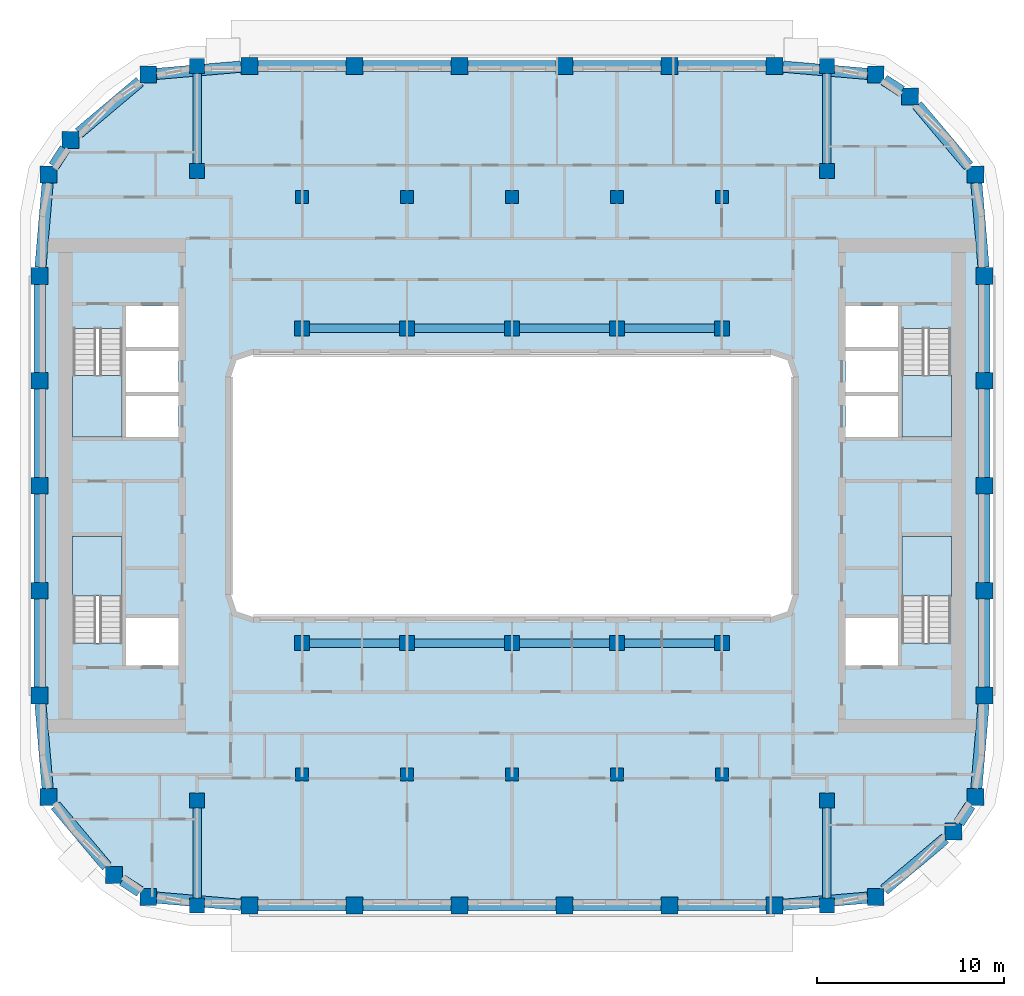
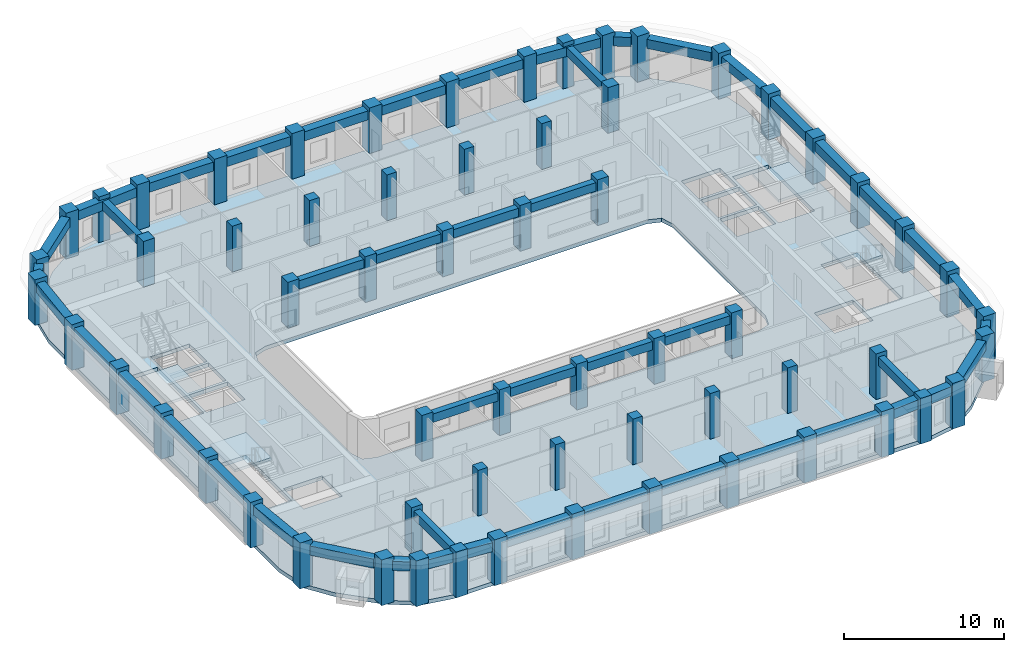
# One storey, part 1 of 21: 62 columns, 46 beams, 5 slabs, 4 elements without a shape of their own.
"""IFC4 building model written with IfcOpenShell, lengths in metres."""

from ifc_helpers import new_model, si_unit, direction, frame, origin, origin_2d, place, context, subcontext, project, spatial, polyline, rectangle, outline, extrude, material, layer, layer_set, material_profile, profile_set, type_object, element, aggregate, save


model = new_model("IFC4")

# Units and contexts
model_context = context("Model", 3, precision=1e-05, world=origin(), true_north=direction((0.0, 1.0)))
body_context = subcontext(model_context, "Body", "Model", "MODEL_VIEW")
ifc_project = project(units=[si_unit("LENGTHUNIT", "METRE"), si_unit("AREAUNIT", "SQUARE_METRE"), si_unit("VOLUMEUNIT", "CUBIC_METRE"), si_unit("PLANEANGLEUNIT", "RADIAN"), si_unit("MASSUNIT", "GRAM", prefix="KILO")], contexts=[model_context])

# Site, building, storey
site_placement = place(None, origin())
site = spatial("IfcSite", under=ifc_project, at=site_placement, CompositionType="ELEMENT")
building_placement = place(site_placement, origin())
building = spatial("IfcBuilding", under=site, at=building_placement, Name="Kiln Ring Residences", CompositionType="ELEMENT")
storey_placement = place(building_placement, frame((0.0, 0.0, 195.89990234375)))
storey = spatial("IfcBuildingStorey", under=building, at=storey_placement, Name="L50", CompositionType="ELEMENT", Elevation=195.89990234375)

# Columns
ifc_material_1 = material(Name="Concrete C70/85", Category="concrete")
ifc_material_profile_1 = material_profile(ifc_material_1, rectangle(XDim=0.699951171875, YDim=0.699951171875, at=origin_2d()), Name="RC700x700")
ifc_profile_set_1 = profile_set([ifc_material_profile_1], Name="Concrete C70/85")
column_type_1 = type_object("IfcColumnType", Name="Corridor column RC700x700 C70/85", PredefinedType="COLUMN", material=ifc_profile_set_1)
for number, where, z_axis, x_axis, name in (
    (1, (-11.199951171875, 15.39990234375, 0.0), (0.0, 0.0, 1.0), (1.0, 0.0, 0.0), "Corridor column L50 1"),
    (2, (-5.60009765625, 15.39990234375, 0.0), (0.0, 0.0, 1.0), (1.0, 0.0, 0.0), "Corridor column L50 2"),
    (3, (0.0, 15.39990234375, 0.0), (0.0, 0.0, 1.0), (1.0, 0.0, 0.0), "Corridor column L50 3"),
    (4, (5.60009765625, 15.39990234375, 0.0), (0.0, 0.0, 1.0), (1.0, 0.0, 0.0), "Corridor column L50 4"),
    (5, (11.199951171875, 15.39990234375, 0.0), (0.0, 0.0, 1.0), (1.0, 0.0, 0.0), "Corridor column L50 5"),
    (6, (-11.199951171875, -15.39990234375, 0.0), (0.0, 0.0, 1.0), (1.0, 0.0, 0.0), "Corridor column L50 6"),
    (7, (-5.60009765625, -15.39990234375, 0.0), (0.0, 0.0, 1.0), (1.0, 0.0, 0.0), "Corridor column L50 7"),
    (8, (0.0, -15.39990234375, 0.0), (0.0, 0.0, 1.0), (1.0, 0.0, 0.0), "Corridor column L50 8"),
    (9, (5.60009765625, -15.39990234375, 0.0), (0.0, 0.0, 1.0), (1.0, 0.0, 0.0), "Corridor column L50 9"),
    (10, (11.199951171875, -15.39990234375, 0.0), (0.0, 0.0, 1.0), (1.0, 0.0, 0.0), "Corridor column L50 10"),
):
    element("IfcColumn", number, at=place(storey_placement, frame(where, z_axis=z_axis, x_axis=x_axis)), inside=storey, type_object=column_type_1, Name=name, PredefinedType="COLUMN", context=body_context, shape_type="SweptSolid", body=[
        extrude(rectangle(XDim=0.699951171875, YDim=0.699951171875, at=origin_2d()), origin(), (0.0, 0.0, 1.0), 3.5),
    ])
ifc_material_2 = material(Name="Concrete C70/85", Category="concrete")
ifc_material_profile_2 = material_profile(ifc_material_2, rectangle(XDim=0.89990234375, YDim=0.89990234375, at=origin_2d()), Name="RC900x900")
ifc_profile_set_2 = profile_set([ifc_material_profile_2], Name="Concrete C70/85")
column_type_2 = type_object("IfcColumnType", Name="Perimeter column RC900x900 C70/85", PredefinedType="COLUMN", material=ifc_profile_set_2)
for number, where, z_axis, x_axis, name in (
    (11, (-19.40869140625, -21.93798828125, 0.0), (0.0, 0.0, 1.0), (1.0, 0.0, 0.0), "Perimeter column L50 1"),
    (12, (-14.0, -22.39990234375, 0.0), (0.0, 0.0, 1.0), (1.0, 0.0, 0.0), "Perimeter column L50 2"),
    (13, (-8.39990234375, -22.39990234375, 0.0), (0.0, 0.0, 1.0), (1.0, 0.0, 0.0), "Perimeter column L50 3"),
    (14, (-2.800048828125, -22.39990234375, 0.0), (0.0, 0.0, 1.0), (1.0, 0.0, 0.0), "Perimeter column L50 4"),
    (15, (2.800048828125, -22.39990234375, 0.0), (0.0, 0.0, 1.0), (1.0, 0.0, 0.0), "Perimeter column L50 5"),
    (16, (8.39990234375, -22.39990234375, 0.0), (0.0, 0.0, 1.0), (1.0, 0.0, 0.0), "Perimeter column L50 6"),
    (17, (14.0, -22.39990234375, 0.0), (0.0, 0.0, 1.0), (1.0, 0.0, 0.0), "Perimeter column L50 7"),
    (18, (19.40869140625, -21.93798828125, 0.0), (0.0, 0.0, 1.0), (1.0, 0.0, 0.0), "Perimeter column L50 8"),
    (19, (23.559814453125, -18.440185546875, 0.0), (0.0, 0.0, 1.0), (1.0, 0.0, 0.0), "Perimeter column L50 9"),
    (20, (24.738037109375, -16.608642578125, 0.0), (0.0, 0.0, 1.0), (1.0, 0.0, 0.0), "Perimeter column L50 10"),
    (21, (25.199951171875, -11.199951171875, 0.0), (0.0, 0.0, 1.0), (1.0, 0.0, 0.0), "Perimeter column L50 11"),
    (22, (25.199951171875, -5.60009765625, 0.0), (0.0, 0.0, 1.0), (1.0, 0.0, 0.0), "Perimeter column L50 12"),
    (23, (25.199951171875, 0.0, 0.0), (0.0, 0.0, 1.0), (1.0, 0.0, 0.0), "Perimeter column L50 13"),
    (24, (25.199951171875, 5.60009765625, 0.0), (0.0, 0.0, 1.0), (1.0, 0.0, 0.0), "Perimeter column L50 14"),
    (25, (25.199951171875, 11.199951171875, 0.0), (0.0, 0.0, 1.0), (1.0, 0.0, 0.0), "Perimeter column L50 15"),
    (26, (24.738037109375, 16.608642578125, 0.0), (0.0, 0.0, 1.0), (1.0, 0.0, 0.0), "Perimeter column L50 16"),
    (27, (21.240234375, 20.759765625, 0.0), (0.0, 0.0, 1.0), (1.0, 0.0, 0.0), "Perimeter column L50 17"),
    (28, (19.40869140625, 21.93798828125, 0.0), (0.0, 0.0, 1.0), (1.0, 0.0, 0.0), "Perimeter column L50 18"),
    (29, (14.0, 22.39990234375, 0.0), (0.0, 0.0, 1.0), (1.0, 0.0, 0.0), "Perimeter column L50 19"),
    (30, (8.39990234375, 22.39990234375, 0.0), (0.0, 0.0, 1.0), (1.0, 0.0, 0.0), "Perimeter column L50 20"),
    (31, (2.800048828125, 22.39990234375, 0.0), (0.0, 0.0, 1.0), (1.0, 0.0, 0.0), "Perimeter column L50 21"),
    (32, (-2.800048828125, 22.39990234375, 0.0), (0.0, 0.0, 1.0), (1.0, 0.0, 0.0), "Perimeter column L50 22"),
    (33, (-8.39990234375, 22.39990234375, 0.0), (0.0, 0.0, 1.0), (1.0, 0.0, 0.0), "Perimeter column L50 23"),
    (34, (-14.0, 22.39990234375, 0.0), (0.0, 0.0, 1.0), (1.0, 0.0, 0.0), "Perimeter column L50 24"),
    (35, (-19.40869140625, 21.93798828125, 0.0), (0.0, 0.0, 1.0), (1.0, 0.0, 0.0), "Perimeter column L50 25"),
    (36, (-23.559814453125, 18.440185546875, 0.0), (0.0, 0.0, 1.0), (1.0, 0.0, 0.0), "Perimeter column L50 26"),
    (37, (-24.738037109375, 16.608642578125, 0.0), (0.0, 0.0, 1.0), (1.0, 0.0, 0.0), "Perimeter column L50 27"),
    (38, (-25.199951171875, 11.199951171875, 0.0), (0.0, 0.0, 1.0), (1.0, 0.0, 0.0), "Perimeter column L50 28"),
    (39, (-25.199951171875, 5.60009765625, 0.0), (0.0, 0.0, 1.0), (1.0, 0.0, 0.0), "Perimeter column L50 29"),
    (40, (-25.199951171875, 0.0, 0.0), (0.0, 0.0, 1.0), (1.0, 0.0, 0.0), "Perimeter column L50 30"),
    (41, (-25.199951171875, -5.60009765625, 0.0), (0.0, 0.0, 1.0), (1.0, 0.0, 0.0), "Perimeter column L50 31"),
    (42, (-25.199951171875, -11.199951171875, 0.0), (0.0, 0.0, 1.0), (1.0, 0.0, 0.0), "Perimeter column L50 32"),
    (43, (-24.738037109375, -16.608642578125, 0.0), (0.0, 0.0, 1.0), (1.0, 0.0, 0.0), "Perimeter column L50 33"),
    (44, (-21.240234375, -20.759765625, 0.0), (0.0, 0.0, 1.0), (1.0, 0.0, 0.0), "Perimeter column L50 34"),
):
    element("IfcColumn", number, at=place(storey_placement, frame(where, z_axis=z_axis, x_axis=x_axis)), inside=storey, type_object=column_type_2, Name=name, PredefinedType="COLUMN", context=body_context, shape_type="SweptSolid", body=[
        extrude(rectangle(XDim=0.89990234375, YDim=0.89990234375, at=origin_2d()), origin(), (0.0, 0.0, 1.0), 3.5),
    ])
ifc_material_3 = material(Name="Concrete C70/85", Category="concrete")
ifc_material_profile_3 = material_profile(ifc_material_3, rectangle(XDim=0.800048828125, YDim=0.800048828125, at=origin_2d()), Name="RC800x800")
ifc_profile_set_3 = profile_set([ifc_material_profile_3], Name="Concrete C70/85")
column_type_3 = type_object("IfcColumnType", Name="Ring column RC800x800 C70/85", PredefinedType="COLUMN", material=ifc_profile_set_3)
for number, where, z_axis, x_axis, name in (
    (45, (-16.800048828125, -22.39990234375, 0.0), (0.0, 0.0, 1.0), (1.0, 0.0, 0.0), "Ring column L50 1"),
    (46, (-16.800048828125, -16.800048828125, 0.0), (0.0, 0.0, 1.0), (1.0, 0.0, 0.0), "Ring column L50 2"),
    (47, (-16.800048828125, 16.800048828125, 0.0), (0.0, 0.0, 1.0), (1.0, 0.0, 0.0), "Ring column L50 3"),
    (48, (-16.800048828125, 22.39990234375, 0.0), (0.0, 0.0, 1.0), (1.0, 0.0, 0.0), "Ring column L50 4"),
    (49, (-11.199951171875, -8.39990234375, 0.0), (0.0, 0.0, 1.0), (1.0, 0.0, 0.0), "Ring column L50 5"),
    (50, (-11.199951171875, 8.39990234375, 0.0), (0.0, 0.0, 1.0), (1.0, 0.0, 0.0), "Ring column L50 6"),
    (51, (-5.60009765625, -8.39990234375, 0.0), (0.0, 0.0, 1.0), (1.0, 0.0, 0.0), "Ring column L50 7"),
    (52, (-5.60009765625, 8.39990234375, 0.0), (0.0, 0.0, 1.0), (1.0, 0.0, 0.0), "Ring column L50 8"),
    (53, (0.0, -8.39990234375, 0.0), (0.0, 0.0, 1.0), (1.0, 0.0, 0.0), "Ring column L50 9"),
    (54, (0.0, 8.39990234375, 0.0), (0.0, 0.0, 1.0), (1.0, 0.0, 0.0), "Ring column L50 10"),
    (55, (5.60009765625, -8.39990234375, 0.0), (0.0, 0.0, 1.0), (1.0, 0.0, 0.0), "Ring column L50 11"),
    (56, (5.60009765625, 8.39990234375, 0.0), (0.0, 0.0, 1.0), (1.0, 0.0, 0.0), "Ring column L50 12"),
    (57, (11.199951171875, -8.39990234375, 0.0), (0.0, 0.0, 1.0), (1.0, 0.0, 0.0), "Ring column L50 13"),
    (58, (11.199951171875, 8.39990234375, 0.0), (0.0, 0.0, 1.0), (1.0, 0.0, 0.0), "Ring column L50 14"),
    (59, (16.800048828125, -22.39990234375, 0.0), (0.0, 0.0, 1.0), (1.0, 0.0, 0.0), "Ring column L50 15"),
    (60, (16.800048828125, -16.800048828125, 0.0), (0.0, 0.0, 1.0), (1.0, 0.0, 0.0), "Ring column L50 16"),
    (61, (16.800048828125, 16.800048828125, 0.0), (0.0, 0.0, 1.0), (1.0, 0.0, 0.0), "Ring column L50 17"),
    (62, (16.800048828125, 22.39990234375, 0.0), (0.0, 0.0, 1.0), (1.0, 0.0, 0.0), "Ring column L50 18"),
):
    element("IfcColumn", number, at=place(storey_placement, frame(where, z_axis=z_axis, x_axis=x_axis)), inside=storey, type_object=column_type_3, Name=name, PredefinedType="COLUMN", context=body_context, shape_type="SweptSolid", body=[
        extrude(rectangle(XDim=0.800048828125, YDim=0.800048828125, at=origin_2d()), origin(), (0.0, 0.0, 1.0), 3.5),
    ])

# Beams
ifc_material_4 = material(Name="Concrete C50/60", Category="concrete")
ifc_material_profile_4 = material_profile(ifc_material_4, rectangle(XDim=0.449951171875, YDim=0.64990234375, at=origin_2d()), Name="RC450x650")
ifc_profile_set_4 = profile_set([ifc_material_profile_4], Name="Concrete C50/60")
beam_type_1 = type_object("IfcBeamType", Name="Ring beam RC450x650 C50/60", PredefinedType="BEAM", material=ifc_profile_set_4)
for number, where, z_axis, x_axis, name in (
    (63, (-10.800048828125, -8.39990234375, 2.875), (1.0, 0.0, 0.0), (0.0, 1.0, 0.0), "Ring beam L50 1"),
    (64, (-5.199951171875, -8.39990234375, 2.875), (1.0, 0.0, 0.0), (0.0, 1.0, 0.0), "Ring beam L50 2"),
    (65, (0.39990234375, -8.39990234375, 2.875), (1.0, 0.0, 0.0), (0.0, 1.0, 0.0), "Ring beam L50 3"),
    (66, (6.0, -8.39990234375, 2.875), (1.0, 0.0, 0.0), (0.0, 1.0, 0.0), "Ring beam L50 4"),
    (67, (-10.800048828125, 8.39990234375, 2.875), (1.0, 0.0, 0.0), (0.0, 1.0, 0.0), "Ring beam L50 5"),
    (68, (-5.199951171875, 8.39990234375, 2.875), (1.0, 0.0, 0.0), (0.0, 1.0, 0.0), "Ring beam L50 6"),
    (69, (0.39990234375, 8.39990234375, 2.875), (1.0, 0.0, 0.0), (0.0, 1.0, 0.0), "Ring beam L50 7"),
    (70, (6.0, 8.39990234375, 2.875), (1.0, 0.0, 0.0), (0.0, 1.0, 0.0), "Ring beam L50 8"),
    (71, (-16.800048828125, -17.199951171875, 2.875), (0.0, -1.0, 0.0), (1.0, 0.0, 0.0), "Ring beam L50 9"),
    (72, (-16.800048828125, 17.199951171875, 2.875), (0.0, 1.0, 0.0), (-1.0, 0.0, 0.0), "Ring beam L50 10"),
    (73, (16.800048828125, -17.199951171875, 2.875), (0.0, -1.0, 0.0), (1.0, 0.0, 0.0), "Ring beam L50 11"),
    (74, (16.800048828125, 17.199951171875, 2.875), (0.0, 1.0, 0.0), (-1.0, 0.0, 0.0), "Ring beam L50 12"),
):
    element("IfcBeam", number, at=place(storey_placement, frame(where, z_axis=z_axis, x_axis=x_axis)), inside=storey, type_object=beam_type_1, Name=name, PredefinedType="BEAM", context=body_context, shape_type="SweptSolid", body=[
        extrude(rectangle(XDim=0.449951171875, YDim=0.64990234375, at=origin_2d()), origin(), (0.0, 0.0, 1.0), 4.800048828125),
    ])
ifc_material_5 = material(Name="Concrete C50/60", Category="concrete")
ifc_material_profile_5 = material_profile(ifc_material_5, rectangle(XDim=0.60009765625, YDim=0.699951171875, at=origin_2d()), Name="RC600x700")
ifc_profile_set_5 = profile_set([ifc_material_profile_5], Name="Concrete C50/60")
beam_type_2 = type_object("IfcBeamType", Name="Spandrel beam RC600x700 C50/60", PredefinedType="SPANDREL", material=ifc_profile_set_5)
beam_1_placement = place(storey_placement, frame((-18.958740234375, -21.9765625, 2.85009765625), z_axis=(0.996374010608, -0.085081319836, 0.0), x_axis=(0.085081319836, 0.996374010608, 0.0)))
element("IfcBeam", 75, at=beam_1_placement, inside=storey, type_object=beam_type_2, Name="Spandrel beam L50 1", PredefinedType="SPANDREL", context=body_context, shape_type="SweptSolid", body=[
    extrude(rectangle(XDim=0.60009765625, YDim=0.699951171875, at=origin_2d()), origin(), (0.0, 0.0, 1.0), 4.525146484375),
])
for number, where, z_axis, x_axis, name in (
    (76, (-13.550048828125, -22.39990234375, 2.85009765625), (1.0, 0.0, 0.0), (0.0, 1.0, 0.0), "Spandrel beam L50 2"),
    (77, (-7.949951171875, -22.39990234375, 2.85009765625), (1.0, 0.0, 0.0), (0.0, 1.0, 0.0), "Spandrel beam L50 3"),
):
    element("IfcBeam", number, at=place(storey_placement, frame(where, z_axis=z_axis, x_axis=x_axis)), inside=storey, type_object=beam_type_2, Name=name, PredefinedType="SPANDREL", context=body_context, shape_type="SweptSolid", body=[
        extrude(rectangle(XDim=0.60009765625, YDim=0.699951171875, at=origin_2d()), origin(), (0.0, 0.0, 1.0), 4.699951171875),
    ])
beam_2_placement = place(storey_placement, frame((-2.35009765625, -22.39990234375, 2.85009765625), z_axis=(1.0, 0.0, 0.0), x_axis=(0.0, 1.0, 0.0)))
element("IfcBeam", 78, at=beam_2_placement, inside=storey, type_object=beam_type_2, Name="Spandrel beam L50 4", PredefinedType="SPANDREL", context=body_context, shape_type="SweptSolid", body=[
    extrude(rectangle(XDim=0.60009765625, YDim=0.699951171875, at=origin_2d()), origin(), (0.0, 0.0, 1.0), 4.7001953125),
])
for number, where, z_axis, x_axis, name in (
    (79, (3.25, -22.39990234375, 2.85009765625), (1.0, 0.0, 0.0), (0.0, 1.0, 0.0), "Spandrel beam L50 5"),
    (80, (8.85009765625, -22.39990234375, 2.85009765625), (1.0, 0.0, 0.0), (0.0, 1.0, 0.0), "Spandrel beam L50 6"),
):
    element("IfcBeam", number, at=place(storey_placement, frame(where, z_axis=z_axis, x_axis=x_axis)), inside=storey, type_object=beam_type_2, Name=name, PredefinedType="SPANDREL", context=body_context, shape_type="SweptSolid", body=[
        extrude(rectangle(XDim=0.60009765625, YDim=0.699951171875, at=origin_2d()), origin(), (0.0, 0.0, 1.0), 4.699951171875),
    ])
beam_3_placement = place(storey_placement, frame((14.449951171875, -22.361572265625, 2.85009765625), z_axis=(0.996374010608, 0.085081319836, 0.0), x_axis=(-0.085081319836, 0.996374010608, 0.0)))
element("IfcBeam", 81, at=beam_3_placement, inside=storey, type_object=beam_type_2, Name="Spandrel beam L50 7", PredefinedType="SPANDREL", context=body_context, shape_type="SweptSolid", body=[
    extrude(rectangle(XDim=0.60009765625, YDim=0.699951171875, at=origin_2d()), origin(), (0.0, 0.0, 1.0), 4.525146484375),
])
beam_4_placement = place(storey_placement, frame((19.858642578125, -21.558837890625, 2.85009765625), z_axis=(0.764722045893, 0.644360297136, 0.0), x_axis=(-0.644360297136, 0.764722045893, 0.0)))
element("IfcBeam", 82, at=beam_4_placement, inside=storey, type_object=beam_type_2, Name="Spandrel beam L50 8", PredefinedType="SPANDREL", context=body_context, shape_type="SweptSolid", body=[
    extrude(rectangle(XDim=0.60009765625, YDim=0.699951171875, at=origin_2d()), origin(), (0.0, 0.0, 1.0), 4.25146484375),
])
beam_5_placement = place(storey_placement, frame((23.849365234375, -17.990234375, 2.85009765625), z_axis=(0.540891264019, 0.841092527911, 0.0), x_axis=(-0.841092527911, 0.540891264019, 0.0)))
element("IfcBeam", 83, at=beam_5_placement, inside=storey, type_object=beam_type_2, Name="Spandrel beam L50 9", PredefinedType="SPANDREL", context=body_context, shape_type="SweptSolid", body=[
    extrude(rectangle(XDim=0.60009765625, YDim=0.699951171875, at=origin_2d()), origin(), (0.0, 0.0, 1.0), 1.107666015625),
])
beam_6_placement = place(storey_placement, frame((24.776611328125, -16.15869140625, 2.85009765625), z_axis=(0.085081319836, 0.996374010608, 0.0), x_axis=(-0.996374010608, 0.085081319836, 0.0)))
element("IfcBeam", 84, at=beam_6_placement, inside=storey, type_object=beam_type_2, Name="Spandrel beam L50 10", PredefinedType="SPANDREL", context=body_context, shape_type="SweptSolid", body=[
    extrude(rectangle(XDim=0.60009765625, YDim=0.699951171875, at=origin_2d()), origin(), (0.0, 0.0, 1.0), 4.525146484375),
])
for number, where, z_axis, x_axis, name in (
    (85, (25.199951171875, -10.75, 2.85009765625), (0.0, 1.0, 0.0), (-1.0, 0.0, 0.0), "Spandrel beam L50 11"),
    (86, (25.199951171875, -5.14990234375, 2.85009765625), (0.0, 1.0, 0.0), (-1.0, 0.0, 0.0), "Spandrel beam L50 12"),
    (87, (25.199951171875, 0.449951171875, 2.85009765625), (0.0, 1.0, 0.0), (-1.0, 0.0, 0.0), "Spandrel beam L50 13"),
    (88, (25.199951171875, 6.050048828125, 2.85009765625), (0.0, 1.0, 0.0), (-1.0, 0.0, 0.0), "Spandrel beam L50 14"),
):
    element("IfcBeam", number, at=place(storey_placement, frame(where, z_axis=z_axis, x_axis=x_axis)), inside=storey, type_object=beam_type_2, Name=name, PredefinedType="SPANDREL", context=body_context, shape_type="SweptSolid", body=[
        extrude(rectangle(XDim=0.60009765625, YDim=0.699951171875, at=origin_2d()), origin(), (0.0, 0.0, 1.0), 4.699951171875),
    ])
beam_7_placement = place(storey_placement, frame((25.16162109375, 11.64990234375, 2.85009765625), z_axis=(-0.085081319836, 0.996374010608, 0.0), x_axis=(-0.996374010608, -0.085081319836, 0.0)))
element("IfcBeam", 89, at=beam_7_placement, inside=storey, type_object=beam_type_2, Name="Spandrel beam L50 15", PredefinedType="SPANDREL", context=body_context, shape_type="SweptSolid", body=[
    extrude(rectangle(XDim=0.60009765625, YDim=0.699951171875, at=origin_2d()), origin(), (0.0, 0.0, 1.0), 4.525146484375),
])
beam_8_placement = place(storey_placement, frame((24.35888671875, 17.05859375, 2.85009765625), z_axis=(-0.644360297136, 0.764722045893, 0.0), x_axis=(-0.764722045893, -0.644360297136, 0.0)))
element("IfcBeam", 90, at=beam_8_placement, inside=storey, type_object=beam_type_2, Name="Spandrel beam L50 16", PredefinedType="SPANDREL", context=body_context, shape_type="SweptSolid", body=[
    extrude(rectangle(XDim=0.60009765625, YDim=0.699951171875, at=origin_2d()), origin(), (0.0, 0.0, 1.0), 4.25146484375),
])
beam_9_placement = place(storey_placement, frame((20.790283203125, 21.04931640625, 2.85009765625), z_axis=(-0.840992251229, 0.541047163723, 0.0), x_axis=(-0.541047163723, -0.840992251229, 0.0)))
element("IfcBeam", 91, at=beam_9_placement, inside=storey, type_object=beam_type_2, Name="Spandrel beam L50 17", PredefinedType="SPANDREL", context=body_context, shape_type="SweptSolid", body=[
    extrude(rectangle(XDim=0.60009765625, YDim=0.699951171875, at=origin_2d()), origin(), (0.0, 0.0, 1.0), 1.107666015625),
])
beam_10_placement = place(storey_placement, frame((18.958740234375, 21.9765625, 2.85009765625), z_axis=(-0.996374010608, 0.085081319836, 0.0), x_axis=(-0.085081319836, -0.996374010608, 0.0)))
element("IfcBeam", 92, at=beam_10_placement, inside=storey, type_object=beam_type_2, Name="Spandrel beam L50 18", PredefinedType="SPANDREL", context=body_context, shape_type="SweptSolid", body=[
    extrude(rectangle(XDim=0.60009765625, YDim=0.699951171875, at=origin_2d()), origin(), (0.0, 0.0, 1.0), 4.525146484375),
])
for number, where, z_axis, x_axis, name in (
    (93, (13.550048828125, 22.39990234375, 2.85009765625), (-1.0, 0.0, 0.0), (0.0, -1.0, 0.0), "Spandrel beam L50 19"),
    (94, (7.949951171875, 22.39990234375, 2.85009765625), (-1.0, 0.0, 0.0), (0.0, -1.0, 0.0), "Spandrel beam L50 20"),
):
    element("IfcBeam", number, at=place(storey_placement, frame(where, z_axis=z_axis, x_axis=x_axis)), inside=storey, type_object=beam_type_2, Name=name, PredefinedType="SPANDREL", context=body_context, shape_type="SweptSolid", body=[
        extrude(rectangle(XDim=0.60009765625, YDim=0.699951171875, at=origin_2d()), origin(), (0.0, 0.0, 1.0), 4.699951171875),
    ])
beam_11_placement = place(storey_placement, frame((2.35009765625, 22.39990234375, 2.85009765625), z_axis=(-1.0, 0.0, 0.0), x_axis=(0.0, -1.0, 0.0)))
element("IfcBeam", 95, at=beam_11_placement, inside=storey, type_object=beam_type_2, Name="Spandrel beam L50 21", PredefinedType="SPANDREL", context=body_context, shape_type="SweptSolid", body=[
    extrude(rectangle(XDim=0.60009765625, YDim=0.699951171875, at=origin_2d()), origin(), (0.0, 0.0, 1.0), 4.7001953125),
])
for number, where, z_axis, x_axis, name in (
    (96, (-3.25, 22.39990234375, 2.85009765625), (-1.0, 0.0, 0.0), (0.0, -1.0, 0.0), "Spandrel beam L50 22"),
    (97, (-8.85009765625, 22.39990234375, 2.85009765625), (-1.0, 0.0, 0.0), (0.0, -1.0, 0.0), "Spandrel beam L50 23"),
):
    element("IfcBeam", number, at=place(storey_placement, frame(where, z_axis=z_axis, x_axis=x_axis)), inside=storey, type_object=beam_type_2, Name=name, PredefinedType="SPANDREL", context=body_context, shape_type="SweptSolid", body=[
        extrude(rectangle(XDim=0.60009765625, YDim=0.699951171875, at=origin_2d()), origin(), (0.0, 0.0, 1.0), 4.699951171875),
    ])
beam_12_placement = place(storey_placement, frame((-14.449951171875, 22.361572265625, 2.85009765625), z_axis=(-0.996374010608, -0.085081319836, 0.0), x_axis=(0.085081319836, -0.996374010608, 0.0)))
element("IfcBeam", 98, at=beam_12_placement, inside=storey, type_object=beam_type_2, Name="Spandrel beam L50 24", PredefinedType="SPANDREL", context=body_context, shape_type="SweptSolid", body=[
    extrude(rectangle(XDim=0.60009765625, YDim=0.699951171875, at=origin_2d()), origin(), (0.0, 0.0, 1.0), 4.525146484375),
])
beam_13_placement = place(storey_placement, frame((-19.858642578125, 21.558837890625, 2.85009765625), z_axis=(-0.764722045893, -0.644360297136, 0.0), x_axis=(0.644360297136, -0.764722045893, 0.0)))
element("IfcBeam", 99, at=beam_13_placement, inside=storey, type_object=beam_type_2, Name="Spandrel beam L50 25", PredefinedType="SPANDREL", context=body_context, shape_type="SweptSolid", body=[
    extrude(rectangle(XDim=0.60009765625, YDim=0.699951171875, at=origin_2d()), origin(), (0.0, 0.0, 1.0), 4.25146484375),
])
beam_14_placement = place(storey_placement, frame((-23.849365234375, 17.990234375, 2.85009765625), z_axis=(-0.540891264019, -0.841092527911, 0.0), x_axis=(0.841092527911, -0.540891264019, 0.0)))
element("IfcBeam", 100, at=beam_14_placement, inside=storey, type_object=beam_type_2, Name="Spandrel beam L50 26", PredefinedType="SPANDREL", context=body_context, shape_type="SweptSolid", body=[
    extrude(rectangle(XDim=0.60009765625, YDim=0.699951171875, at=origin_2d()), origin(), (0.0, 0.0, 1.0), 1.107666015625),
])
beam_15_placement = place(storey_placement, frame((-24.776611328125, 16.15869140625, 2.85009765625), z_axis=(-0.085081319836, -0.996374010608, 0.0), x_axis=(0.996374010608, -0.085081319836, 0.0)))
element("IfcBeam", 101, at=beam_15_placement, inside=storey, type_object=beam_type_2, Name="Spandrel beam L50 27", PredefinedType="SPANDREL", context=body_context, shape_type="SweptSolid", body=[
    extrude(rectangle(XDim=0.60009765625, YDim=0.699951171875, at=origin_2d()), origin(), (0.0, 0.0, 1.0), 4.525146484375),
])
for number, where, z_axis, x_axis, name in (
    (102, (-25.199951171875, 10.75, 2.85009765625), (0.0, -1.0, 0.0), (1.0, 0.0, 0.0), "Spandrel beam L50 28"),
    (103, (-25.199951171875, 5.14990234375, 2.85009765625), (0.0, -1.0, 0.0), (1.0, 0.0, 0.0), "Spandrel beam L50 29"),
    (104, (-25.199951171875, -0.449951171875, 2.85009765625), (0.0, -1.0, 0.0), (1.0, 0.0, 0.0), "Spandrel beam L50 30"),
    (105, (-25.199951171875, -6.050048828125, 2.85009765625), (0.0, -1.0, 0.0), (1.0, 0.0, 0.0), "Spandrel beam L50 31"),
):
    element("IfcBeam", number, at=place(storey_placement, frame(where, z_axis=z_axis, x_axis=x_axis)), inside=storey, type_object=beam_type_2, Name=name, PredefinedType="SPANDREL", context=body_context, shape_type="SweptSolid", body=[
        extrude(rectangle(XDim=0.60009765625, YDim=0.699951171875, at=origin_2d()), origin(), (0.0, 0.0, 1.0), 4.699951171875),
    ])
beam_16_placement = place(storey_placement, frame((-25.16162109375, -11.64990234375, 2.85009765625), z_axis=(0.085081319836, -0.996374010608, 0.0), x_axis=(0.996374010608, 0.085081319836, 0.0)))
element("IfcBeam", 106, at=beam_16_placement, inside=storey, type_object=beam_type_2, Name="Spandrel beam L50 32", PredefinedType="SPANDREL", context=body_context, shape_type="SweptSolid", body=[
    extrude(rectangle(XDim=0.60009765625, YDim=0.699951171875, at=origin_2d()), origin(), (0.0, 0.0, 1.0), 4.525146484375),
])
beam_17_placement = place(storey_placement, frame((-24.35888671875, -17.05859375, 2.85009765625), z_axis=(0.644360297136, -0.764722045893, 0.0), x_axis=(0.764722045893, 0.644360297136, 0.0)))
element("IfcBeam", 107, at=beam_17_placement, inside=storey, type_object=beam_type_2, Name="Spandrel beam L50 33", PredefinedType="SPANDREL", context=body_context, shape_type="SweptSolid", body=[
    extrude(rectangle(XDim=0.60009765625, YDim=0.699951171875, at=origin_2d()), origin(), (0.0, 0.0, 1.0), 4.25146484375),
])
beam_18_placement = place(storey_placement, frame((-20.790283203125, -21.04931640625, 2.85009765625), z_axis=(0.840992251229, -0.541047163723, 0.0), x_axis=(0.541047163723, 0.840992251229, 0.0)))
element("IfcBeam", 108, at=beam_18_placement, inside=storey, type_object=beam_type_2, Name="Spandrel beam L50 34", PredefinedType="SPANDREL", context=body_context, shape_type="SweptSolid", body=[
    extrude(rectangle(XDim=0.60009765625, YDim=0.699951171875, at=origin_2d()), origin(), (0.0, 0.0, 1.0), 1.107666015625),
])

# Stair, slab
ifc_material_6 = material(Name="Concrete C40/50", Category="concrete")
stair_type = type_object("IfcStairType", Name="CORE-STAIR", PredefinedType="HALF_TURN_STAIR", material=ifc_material_6)
placement_1 = place(storey_placement, origin())
stair_1 = element("IfcStair", 109, at=placement_1, inside=storey, type_object=stair_type, Name="L50 stair W-STN", PredefinedType="HALF_TURN_STAIR")
ifc_material_7 = material(Name="Concrete C40/50", Category="concrete")
ifc_layer_1 = layer(ifc_material_7, 0.199951171875)
ifc_layer_set_1 = layer_set([ifc_layer_1], Name="CORE-STAIR-LANDING")
slab_type_1 = type_object("IfcSlabType", Name="CORE-STAIR-LANDING", PredefinedType="LANDING", material=ifc_layer_set_1)
placement_2 = place(storey_placement, frame((0.0, 0.0, 1.550048828125)))
slab_1 = element("IfcSlab", 110, at=placement_2, type_object=slab_type_1, Name="W-STN landing 1", PredefinedType="LANDING", context=body_context, shape_type="SweptSolid", body=[
    extrude(outline(polyline([(-23.449951171875, 5.8798828125), (-23.449951171875, 2.60009765625), (-20.800048828125, 2.60009765625), (-20.800048828125, 5.8798828125), (-23.449951171875, 5.8798828125)])), origin(), (0.0, 0.0, 1.0), 0.199951171875),
])
aggregate(stair_1, [slab_1])

stair_2 = element("IfcStair", 111, at=placement_1, inside=storey, type_object=stair_type, Name="L50 stair W-STS", PredefinedType="HALF_TURN_STAIR")
slab_2 = element("IfcSlab", 112, at=placement_2, type_object=slab_type_1, Name="W-STS landing 1", PredefinedType="LANDING", context=body_context, shape_type="SweptSolid", body=[
    extrude(outline(polyline([(-20.800048828125, -5.8798828125), (-20.800048828125, -2.699951171875), (-23.449951171875, -2.699951171875), (-23.449951171875, -5.8798828125), (-20.800048828125, -5.8798828125)])), origin(), (0.0, 0.0, 1.0), 0.199951171875),
])
aggregate(stair_2, [slab_2])

stair_3 = element("IfcStair", 113, at=placement_1, inside=storey, type_object=stair_type, Name="L50 stair E-STN", PredefinedType="HALF_TURN_STAIR")
slab_3 = element("IfcSlab", 114, at=placement_2, type_object=slab_type_1, Name="E-STN landing 1", PredefinedType="LANDING", context=body_context, shape_type="SweptSolid", body=[
    extrude(outline(polyline([(20.800048828125, 5.8798828125), (20.800048828125, 2.60009765625), (23.449951171875, 2.60009765625), (23.449951171875, 5.8798828125), (20.800048828125, 5.8798828125)])), origin(), (0.0, 0.0, 1.0), 0.199951171875),
])
aggregate(stair_3, [slab_3])

stair_4 = element("IfcStair", 115, at=placement_1, inside=storey, type_object=stair_type, Name="L50 stair E-STS", PredefinedType="HALF_TURN_STAIR")
slab_4 = element("IfcSlab", 116, at=placement_2, type_object=slab_type_1, Name="E-STS landing 1", PredefinedType="LANDING", context=body_context, shape_type="SweptSolid", body=[
    extrude(outline(polyline([(23.449951171875, -5.8798828125), (23.449951171875, -2.699951171875), (20.800048828125, -2.699951171875), (20.800048828125, -5.8798828125), (23.449951171875, -5.8798828125)])), origin(), (0.0, 0.0, 1.0), 0.199951171875),
])
aggregate(stair_4, [slab_4])

# Slab
ifc_material_8 = material(Name="Concrete C40/50", Category="concrete")
ifc_layer_2 = layer(ifc_material_8, 0.300048828125)
ifc_layer_set_2 = layer_set([ifc_layer_2], Name="Floor slab 300")
slab_type_2 = type_object("IfcSlabType", Name="Floor slab 300", PredefinedType="FLOOR", material=ifc_layer_set_2)
slab_5_placement = place(storey_placement, frame((0.0, 0.0, -0.2998046875)))
element("IfcSlab", 117, at=slab_5_placement, inside=storey, type_object=slab_type_2, Name="Floor slab L50 1", PredefinedType="FLOOR", context=body_context, shape_type="SweptSolid", body=[
    extrude(outline(polyline([(-23.5029296875, -18.4970703125), (-21.297119140625, -20.702880859375), (-19.42431640625, -21.975830078125), (-17.199951171875, -22.39990234375), (17.199951171875, -22.39990234375), (19.42431640625, -21.975830078125), (21.297119140625, -20.702880859375), (23.5029296875, -18.4970703125), (24.775634765625, -16.624267578125), (25.199951171875, -14.39990234375), (25.199951171875, 14.39990234375), (24.775634765625, 16.624267578125), (23.5029296875, 18.4970703125), (21.297119140625, 20.702880859375), (19.42431640625, 21.975830078125), (17.199951171875, 22.39990234375), (-17.199951171875, 22.39990234375), (-19.42431640625, 21.975830078125), (-21.297119140625, 20.702880859375), (-23.5029296875, 18.4970703125), (-24.775634765625, 16.624267578125), (-25.199951171875, 14.39990234375), (-25.199951171875, -14.39990234375), (-24.775634765625, -16.624267578125), (-23.5029296875, -18.4970703125)]), holes=[polyline([(-14.699951171875, -6.699951171875), (-15.0, -5.800048828125), (-15.0, 5.800048828125), (-14.699951171875, 6.699951171875), (-13.800048828125, 7.0), (13.800048828125, 7.0), (14.699951171875, 6.699951171875), (15.0, 5.800048828125), (15.0, -5.800048828125), (14.699951171875, -6.699951171875), (13.800048828125, -7.0), (-13.800048828125, -7.0), (-14.699951171875, -6.699951171875)]), polyline([(20.800048828125, -8.39794921875), (20.800048828125, -2.699951171875), (23.39990234375, -2.699951171875), (23.39990234375, -8.39794921875), (20.800048828125, -8.39794921875)]), polyline([(23.39990234375, 2.60009765625), (20.800048828125, 2.60009765625), (20.800048828125, 8.39794921875), (23.39990234375, 8.39794921875), (23.39990234375, 2.60009765625)]), polyline([(17.800048828125, 2.60009765625), (17.800048828125, 4.800048828125), (20.60009765625, 4.800048828125), (20.60009765625, 2.60009765625), (17.800048828125, 2.60009765625)]), polyline([(17.800048828125, 5.0), (17.800048828125, 7.199951171875), (20.60009765625, 7.199951171875), (20.60009765625, 5.0), (17.800048828125, 5.0)]), polyline([(17.800048828125, 7.39990234375), (17.800048828125, 9.60009765625), (20.60009765625, 9.60009765625), (20.60009765625, 7.39990234375), (17.800048828125, 7.39990234375)]), polyline([(20.60009765625, -9.60009765625), (17.800048828125, -9.60009765625), (17.800048828125, -7.050048828125), (20.60009765625, -7.050048828125), (20.60009765625, -9.60009765625)]), polyline([(-17.800048828125, -7.050048828125), (-17.800048828125, -9.60009765625), (-20.60009765625, -9.60009765625), (-20.60009765625, -7.050048828125), (-17.800048828125, -7.050048828125)]), polyline([(-17.800048828125, 2.60009765625), (-20.60009765625, 2.60009765625), (-20.60009765625, 4.800048828125), (-17.800048828125, 4.800048828125), (-17.800048828125, 2.60009765625)]), polyline([(-17.800048828125, 5.0), (-20.60009765625, 5.0), (-20.60009765625, 7.199951171875), (-17.800048828125, 7.199951171875), (-17.800048828125, 5.0)]), polyline([(-17.800048828125, 7.39990234375), (-20.60009765625, 7.39990234375), (-20.60009765625, 9.60009765625), (-17.800048828125, 9.60009765625), (-17.800048828125, 7.39990234375)]), polyline([(-20.800048828125, -8.39794921875), (-23.39990234375, -8.39794921875), (-23.39990234375, -2.699951171875), (-20.800048828125, -2.699951171875), (-20.800048828125, -8.39794921875)]), polyline([(-20.800048828125, 8.39794921875), (-20.800048828125, 2.60009765625), (-23.39990234375, 2.60009765625), (-23.39990234375, 8.39794921875), (-20.800048828125, 8.39794921875)])]), origin(), (0.0, 0.0, 1.0), 0.2998046875),
])

save(model, "model.ifc")
